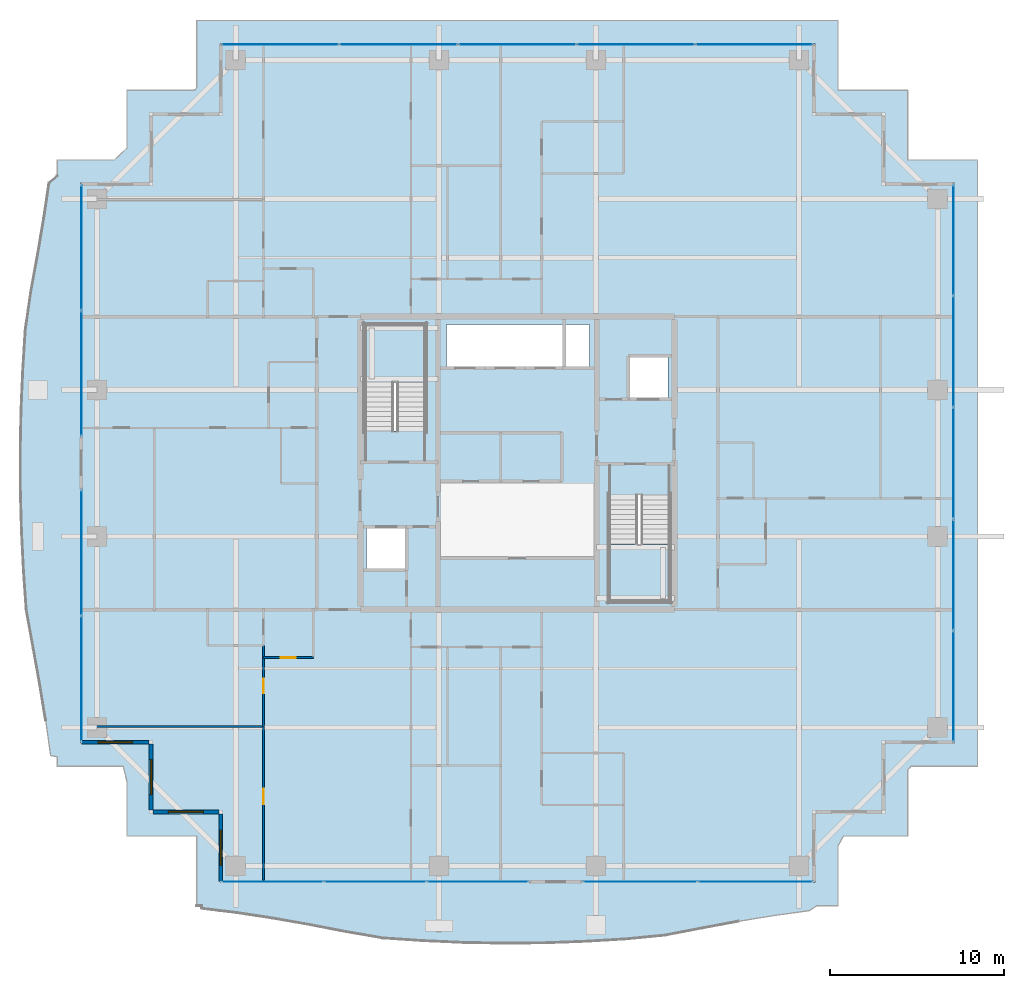
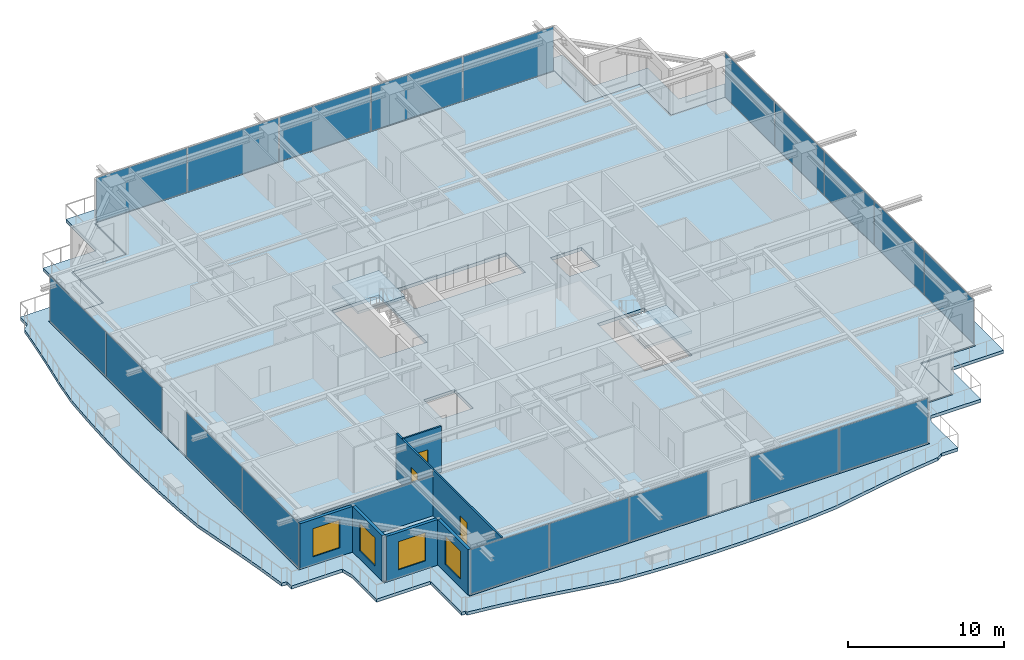
# One storey, part 24 of 36: 19 plates, 8 walls, 4 slabs, 4 windows, 3 doors, 7 openings, 8 elements without a shape of their own.
"""IFC4 building model written with IfcOpenShell, lengths in metres."""

from ifc_helpers import new_model, si_unit, direction, frame, frame_2d, origin, origin_2d, place, context, subcontext, project, spatial, polyline, rectangle, outline, extrude, source, transform, mapped, material, layer, layer_set, type_object, element, fill, aggregate, save


model = new_model("IFC4")

# Units and contexts
model_context = context("Model", 3, precision=1e-05, world=origin(), true_north=direction((0.0, 1.0)))
body_context = subcontext(model_context, "Body", "Model", "MODEL_VIEW")
ifc_project = project(units=[si_unit("LENGTHUNIT", "METRE"), si_unit("AREAUNIT", "SQUARE_METRE"), si_unit("VOLUMEUNIT", "CUBIC_METRE"), si_unit("PLANEANGLEUNIT", "RADIAN"), si_unit("MASSUNIT", "GRAM", prefix="KILO")], contexts=[model_context])

# Site, building, storey
site_placement = place(None, origin())
site = spatial("IfcSite", under=ifc_project, at=site_placement, CompositionType="ELEMENT")
building_placement = place(site_placement, origin())
building = spatial("IfcBuilding", under=site, at=building_placement, Name="Serunith Strait Residences", CompositionType="ELEMENT")
storey_placement = place(building_placement, frame((0.0, 0.0, 225.85009765625)))
storey = spatial("IfcBuildingStorey", under=building, at=storey_placement, Name="L56", CompositionType="ELEMENT", Elevation=225.85009765625)

# Slab
ifc_material_1 = material(Name="Concrete C50/60", Category="concrete")
ifc_layer_1 = layer(ifc_material_1, 0.239990234375, Name="Concrete C50/60")
ifc_layer_set_1 = layer_set([ifc_layer_1], Name="Concrete C50/60")
slab_type_1 = type_object("IfcSlabType", Name="SLB-BALC-240", PredefinedType="FLOOR", material=ifc_layer_set_1)
slab_1_placement = place(storey_placement, frame((0.0, 0.0, -0.2900390625)))
element("IfcSlab", 1, at=slab_1_placement, inside=storey, type_object=slab_type_1, Name="L56 Planted Vertical-Forest Balcony Slab", PredefinedType="FLOOR", context=body_context, shape_type="SweptSolid", body=[
    extrude(outline(polyline([(14.02001953125, -0.179931640625), (14.02001953125, 3.820068359375), (10.02001953125, 3.820068359375), (10.02001953125, 6.948974609375), (9.80712890625, 7.820068359375), (6.02001953125, 7.820068359375), (6.02001953125, 8.369384765625), (5.64404296875, 8.43310546875), (5.3603515625, 10.46337890625), (5.024658203125, 12.51611328125), (4.648681640625, 14.608154296875), (4.257080078125, 16.757080078125), (4.09814453125, 19.020751953125), (3.98388671875, 21.31640625), (3.919921875, 23.633544921875), (3.9111328125, 25.959716796875), (3.958740234375, 28.281005859375), (4.05810546875, 30.5849609375), (4.200927734375, 32.860595703125), (4.51904296875, 35.05126953125), (4.90380859375, 37.160888671875), (5.25439453125, 39.22509765625), (5.555908203125, 41.26171875), (6.02001953125, 41.655029296875), (6.02001953125, 42.580078125), (9.29833984375, 42.580078125), (10.02001953125, 43.2548828125), (10.02001953125, 46.580078125), (13.918212890625, 46.580078125), (14.02001953125, 46.735595703125), (14.02001953125, 50.580078125), (50.780029296875, 50.580078125), (50.780029296875, 46.580078125), (54.780029296875, 46.580078125), (54.780029296875, 42.580078125), (58.780029296875, 42.580078125), (58.780029296875, 7.820068359375), (54.97509765625, 7.820068359375), (54.780029296875, 7.597900390625), (54.780029296875, 3.820068359375), (51.09521484375, 3.820068359375), (50.780029296875, 3.25146484375), (50.780029296875, -0.179931640625), (49.544921875, -0.179931640625), (49.1474609375, -0.45556640625), (47.122314453125, -0.73291015625), (45.07861328125, -1.069091796875), (42.997802734375, -1.45654296875), (40.85986328125, -1.871337890625), (38.60595703125, -2.0869140625), (36.30419921875, -2.224365234375), (33.97607421875, -2.30908203125), (31.63525390625, -2.331298828125), (29.298095703125, -2.28857421875), (26.97998046875, -2.18505859375), (24.694091796875, -2.030517578125), (22.515380859375, -1.656005859375), (20.41455078125, -1.25048828125), (18.360107421875, -0.88720703125), (16.33154296875, -0.5810546875), (14.313720703125, -0.333740234375), (14.31494140625, -0.179931640625), (14.02001953125, -0.179931640625)]), holes=[polyline([(49.455078125, 1.14501953125), (49.455078125, 5.14501953125), (53.455078125, 5.14501953125), (53.455078125, 9.14501953125), (57.455078125, 9.14501953125), (57.455078125, 41.2548828125), (53.455078125, 41.2548828125), (53.455078125, 45.2548828125), (49.455078125, 45.2548828125), (49.455078125, 49.2548828125), (15.344970703125, 49.2548828125), (15.344970703125, 45.2548828125), (11.344970703125, 45.2548828125), (11.344970703125, 41.2548828125), (7.344970703125, 41.2548828125), (7.344970703125, 9.14501953125), (11.344970703125, 9.14501953125), (11.344970703125, 5.14501953125), (15.344970703125, 5.14501953125), (15.344970703125, 1.14501953125), (49.455078125, 1.14501953125)])]), origin(), (0.0, 0.0, 1.0), 0.239990234375),
])

# Stair, slab
stair_type_1 = type_object("IfcStairType", Name="STR-CORE-1", PredefinedType="HALF_TURN_STAIR", material=ifc_material_1)
stair_1_placement = place(storey_placement, origin())
stair_1 = element("IfcStair", 2, at=stair_1_placement, inside=storey, type_object=stair_type_1, Name="L56 Protected Escape Stair ST-1", PredefinedType="HALF_TURN_STAIR")
ifc_layer_2 = layer(ifc_material_1, 0.199951171875, Name="Concrete C50/60")
ifc_layer_set_2 = layer_set([ifc_layer_2], Name="Concrete C50/60")
slab_type_2 = type_object("IfcSlabType", Name="SLB-LAND-200", PredefinedType="LANDING", material=ifc_layer_set_2)
slab_2_placement = place(storey_placement, frame((0.0, 0.0, 1.724853515625)))
slab_2 = element("IfcSlab", 3, at=slab_2_placement, type_object=slab_type_2, Name="ST-1 landing 1", PredefinedType="LANDING", context=body_context, shape_type="SweptSolid", body=[
    extrude(outline(polyline([(27.14990234375, 29.830078125), (27.14990234375, 33.14990234375), (23.64990234375, 33.14990234375), (23.64990234375, 29.830078125), (27.14990234375, 29.830078125)])), origin(), (0.0, 0.0, 1.0), 0.199951171875),
])
aggregate(stair_1, [slab_2])

stair_type_2 = type_object("IfcStairType", Name="STR-CORE-2", PredefinedType="HALF_TURN_STAIR", material=ifc_material_1)
stair_2_placement = place(storey_placement, origin())
stair_2 = element("IfcStair", 4, at=stair_2_placement, inside=storey, type_object=stair_type_2, Name="L56 Protected Escape Stair ST-2", PredefinedType="HALF_TURN_STAIR")
slab_3_placement = place(storey_placement, frame((0.0, 0.0, 1.724853515625)))
slab_3 = element("IfcSlab", 5, at=slab_3_placement, type_object=slab_type_2, Name="ST-2 landing 1", PredefinedType="LANDING", context=body_context, shape_type="SweptSolid", body=[
    extrude(outline(polyline([(37.64990234375, 20.570068359375), (37.64990234375, 17.25), (41.14990234375, 17.25), (41.14990234375, 20.570068359375), (37.64990234375, 20.570068359375)])), origin(), (0.0, 0.0, 1.0), 0.199951171875),
])
aggregate(stair_2, [slab_3])

# Slab
ifc_material_2 = material(Name="Concrete C60/75", Category="concrete")
ifc_layer_3 = layer(ifc_material_2, 0.260009765625, Name="Concrete C60/75")
ifc_layer_set_3 = layer_set([ifc_layer_3], Name="Concrete C60/75")
slab_type_3 = type_object("IfcSlabType", Name="SLB-TWR-275-Z3", PredefinedType="FLOOR", material=ifc_layer_set_3)
slab_4_placement = place(storey_placement, frame((0.0, 0.0, -0.260009765625)))
element("IfcSlab", 6, at=slab_4_placement, inside=storey, type_object=slab_type_3, Name="L56 Structural Floor Plate", PredefinedType="FLOOR", context=body_context, shape_type="SweptSolid", body=[
    extrude(outline(polyline([(15.39990234375, 5.199951171875), (11.39990234375, 5.199951171875), (11.39990234375, 9.199951171875), (7.39990234375, 9.199951171875), (7.39990234375, 41.199951171875), (11.39990234375, 41.199951171875), (11.39990234375, 45.199951171875), (15.39990234375, 45.199951171875), (15.39990234375, 49.199951171875), (49.39990234375, 49.199951171875), (49.39990234375, 45.199951171875), (53.39990234375, 45.199951171875), (53.39990234375, 41.199951171875), (57.39990234375, 41.199951171875), (57.39990234375, 9.199951171875), (53.39990234375, 9.199951171875), (53.39990234375, 5.199951171875), (49.39990234375, 5.199951171875), (49.39990234375, 1.199951171875), (15.39990234375, 1.199951171875), (15.39990234375, 5.199951171875)]), holes=[polyline([(41.14990234375, 23.3701171875), (37.64990234375, 23.3701171875), (37.64990234375, 17.25), (41.14990234375, 17.25), (41.14990234375, 23.3701171875)]), polyline([(38.75, 31.25), (38.75, 28.85009765625), (41.050048828125, 28.85009765625), (41.050048828125, 31.25), (38.75, 31.25)]), polyline([(36.550048828125, 33.14990234375), (28.35009765625, 33.14990234375), (28.35009765625, 30.64990234375), (36.550048828125, 30.64990234375), (36.550048828125, 33.14990234375)]), polyline([(23.64990234375, 33.14990234375), (23.64990234375, 27.030029296875), (27.14990234375, 27.030029296875), (27.14990234375, 33.14990234375), (23.64990234375, 33.14990234375)]), polyline([(23.75, 21.550048828125), (23.75, 19.14990234375), (26.050048828125, 19.14990234375), (26.050048828125, 21.550048828125), (23.75, 21.550048828125)])]), origin(), (0.0, 0.0, 1.0), 0.260009765625),
])

# Curtain wall, plates
ifc_material_3 = material(Name="Pale-Champagne Anodised Aluminium", Category="aluminium")
ifc_layer_4 = layer(ifc_material_3, 0.199951171875, Name="Pale-Champagne Anodised Aluminium")
ifc_layer_set_4 = layer_set([ifc_layer_4], Name="Pale-Champagne Anodised Aluminium")
curtain_wall_type = type_object("IfcCurtainWallType", Name="CW-SYS4", PredefinedType="NOTDEFINED", material=ifc_layer_set_4)
curtain_wall_1_placement = place(storey_placement, origin())
curtain_wall_1 = element("IfcCurtainWall", 7, at=curtain_wall_1_placement, inside=storey, type_object=curtain_wall_type, Name="L56 E Unitised Fritted Curtain Wall", PredefinedType="NOTDEFINED")
ifc_material_4 = material(Name="Ceramic-Printed Solar-Control Glazing 28mm", Category="glass")
ifc_layer_5 = layer(ifc_material_4, 0.028076171875, Name="Ceramic-Printed Solar-Control Glazing 28mm")
ifc_layer_set_5 = layer_set([ifc_layer_5], Name="Ceramic-Printed Solar-Control Glazing 28mm")
plate_type = type_object("IfcPlateType", Name="CW-SYS4-PNL", PredefinedType="CURTAIN_PANEL", material=ifc_layer_set_5)
shared_shape_1 = source(origin(), body_context, "Body", "SweptSolid", [
    extrude(rectangle(XDim=6.302490234375, YDim=0.028076171875, at=origin_2d()), origin(), (0.0, 0.0, 1.0), 3.455078125),
])
plate_1_placement = place(storey_placement, frame((57.39990234375, 12.416259765625, 0.059814453125), z_axis=(0.0, 0.0, 1.0), x_axis=(0.0, 1.0, 0.0)))
plate_1 = element("IfcPlate", 8, at=plate_1_placement, type_object=plate_type, Name="CW-4 panel 1.1", PredefinedType="CURTAIN_PANEL", context=body_context, shape_type="MappedRepresentation", body=[
    mapped(shared_shape_1, transform((0.0, 0.0, 0.0), scale=1.0)),
])
plate_2_placement = place(storey_placement, frame((57.39990234375, 37.983642578125, 0.059814453125), z_axis=(0.0, 0.0, 1.0), x_axis=(0.0, 1.0, 0.0)))
plate_2 = element("IfcPlate", 9, at=plate_2_placement, type_object=plate_type, Name="CW-4 panel 5.1", PredefinedType="CURTAIN_PANEL", context=body_context, shape_type="MappedRepresentation", body=[
    mapped(shared_shape_1, transform((0.0, 0.0, 0.0), scale=1.0)),
])
shared_shape_2 = source(origin(), body_context, "Body", "SweptSolid", [
    extrude(rectangle(XDim=6.3349609375, YDim=0.028076171875, at=origin_2d()), origin(), (0.0, 0.0, 1.0), 3.455078125),
])
plate_3_placement = place(storey_placement, frame((57.39990234375, 18.800048828125, 0.059814453125), z_axis=(0.0, 0.0, 1.0), x_axis=(0.0, 1.0, 0.0)))
plate_3 = element("IfcPlate", 10, at=plate_3_placement, type_object=plate_type, Name="CW-4 panel 2.1", PredefinedType="CURTAIN_PANEL", context=body_context, shape_type="MappedRepresentation", body=[
    mapped(shared_shape_2, transform((0.0, 0.0, 0.0), scale=1.0)),
])
plate_4_placement = place(storey_placement, frame((57.39990234375, 25.199951171875, 0.059814453125), z_axis=(0.0, 0.0, 1.0), x_axis=(0.0, 1.0, 0.0)))
plate_4 = element("IfcPlate", 11, at=plate_4_placement, type_object=plate_type, Name="CW-4 panel 3.1", PredefinedType="CURTAIN_PANEL", context=body_context, shape_type="MappedRepresentation", body=[
    mapped(shared_shape_2, transform((0.0, 0.0, 0.0), scale=1.0)),
])
plate_5_placement = place(storey_placement, frame((57.39990234375, 31.60009765625, 0.059814453125), z_axis=(0.0, 0.0, 1.0), x_axis=(0.0, 1.0, 0.0)))
plate_5 = element("IfcPlate", 12, at=plate_5_placement, type_object=plate_type, Name="CW-4 panel 4.1", PredefinedType="CURTAIN_PANEL", context=body_context, shape_type="MappedRepresentation", body=[
    mapped(shared_shape_2, transform((0.0, 0.0, 0.0), scale=1.0)),
])
aggregate(curtain_wall_1, [plate_1, plate_3, plate_4, plate_5, plate_2])

curtain_wall_2_placement = place(storey_placement, origin())
curtain_wall_2 = element("IfcCurtainWall", 13, at=curtain_wall_2_placement, inside=storey, type_object=curtain_wall_type, Name="L56 N Unitised Fritted Curtain Wall", PredefinedType="NOTDEFINED")
shared_shape_3 = source(origin(), body_context, "Body", "SweptSolid", [
    extrude(rectangle(XDim=6.702392578125, YDim=0.028076171875, at=origin_2d()), origin(), (0.0, 0.0, 1.0), 3.455078125),
])
plate_6_placement = place(storey_placement, frame((45.983642578125, 49.199951171875, 0.059814453125), z_axis=(0.0, 0.0, 1.0), x_axis=(-1.0, 0.0, 0.0)))
plate_6 = element("IfcPlate", 14, at=plate_6_placement, type_object=plate_type, Name="CW-4 panel 1.1", PredefinedType="CURTAIN_PANEL", context=body_context, shape_type="MappedRepresentation", body=[
    mapped(shared_shape_3, transform((0.0, 0.0, 0.0), scale=1.0)),
])
plate_7_placement = place(storey_placement, frame((18.816162109375, 49.199951171875, 0.059814453125), z_axis=(0.0, 0.0, 1.0), x_axis=(-1.0, 0.0, 0.0)))
plate_7 = element("IfcPlate", 15, at=plate_7_placement, type_object=plate_type, Name="CW-4 panel 5.1", PredefinedType="CURTAIN_PANEL", context=body_context, shape_type="MappedRepresentation", body=[
    mapped(shared_shape_3, transform((0.0, 0.0, 0.0), scale=1.0)),
])
shared_shape_4 = source(origin(), body_context, "Body", "SweptSolid", [
    extrude(rectangle(XDim=6.735107421875, YDim=0.028076171875, at=origin_2d()), origin(), (0.0, 0.0, 1.0), 3.455078125),
])
plate_8_placement = place(storey_placement, frame((39.199951171875, 49.199951171875, 0.059814453125), z_axis=(0.0, 0.0, 1.0), x_axis=(-1.0, 0.0, 0.0)))
plate_8 = element("IfcPlate", 16, at=plate_8_placement, type_object=plate_type, Name="CW-4 panel 2.1", PredefinedType="CURTAIN_PANEL", context=body_context, shape_type="MappedRepresentation", body=[
    mapped(shared_shape_4, transform((0.0, 0.0, 0.0), scale=1.0)),
])
plate_9_placement = place(storey_placement, frame((32.39990234375, 49.199951171875, 0.059814453125), z_axis=(0.0, 0.0, 1.0), x_axis=(-1.0, 0.0, 0.0)))
plate_9 = element("IfcPlate", 17, at=plate_9_placement, type_object=plate_type, Name="CW-4 panel 3.1", PredefinedType="CURTAIN_PANEL", context=body_context, shape_type="MappedRepresentation", body=[
    mapped(shared_shape_4, transform((0.0, 0.0, 0.0), scale=1.0)),
])
plate_10_placement = place(storey_placement, frame((25.60009765625, 49.199951171875, 0.059814453125), z_axis=(0.0, 0.0, 1.0), x_axis=(-1.0, 0.0, 0.0)))
plate_10 = element("IfcPlate", 18, at=plate_10_placement, type_object=plate_type, Name="CW-4 panel 4.1", PredefinedType="CURTAIN_PANEL", context=body_context, shape_type="MappedRepresentation", body=[
    mapped(shared_shape_4, transform((0.0, 0.0, 0.0), scale=1.0)),
])
aggregate(curtain_wall_2, [plate_6, plate_8, plate_9, plate_10, plate_7])

curtain_wall_3_placement = place(storey_placement, origin())
curtain_wall_3 = element("IfcCurtainWall", 19, at=curtain_wall_3_placement, inside=storey, type_object=curtain_wall_type, Name="L56 W Unitised Fritted Curtain Wall", PredefinedType="NOTDEFINED")
shared_shape_5 = source(origin(), body_context, "Body", "SweptSolid", [
    extrude(rectangle(XDim=7.152587890625, YDim=0.028076171875, at=origin_2d()), origin(), (0.0, 0.0, 1.0), 3.455078125),
])
plate_11_placement = place(storey_placement, frame((7.39990234375, 37.558837890625, 0.059814453125), z_axis=(0.0, 0.0, 1.0), x_axis=(0.0, -1.0, 0.0)))
plate_11 = element("IfcPlate", 20, at=plate_11_placement, type_object=plate_type, Name="CW-4 panel 1.1", PredefinedType="CURTAIN_PANEL", context=body_context, shape_type="MappedRepresentation", body=[
    mapped(shared_shape_5, transform((0.0, 0.0, 0.0), scale=1.0)),
])
plate_12_placement = place(storey_placement, frame((7.39990234375, 30.34130859375, 0.059814453125), z_axis=(0.0, 0.0, 1.0), x_axis=(0.0, -1.0, 0.0)))
plate_12 = element("IfcPlate", 21, at=plate_12_placement, type_object=plate_type, Name="CW-4 panel 2.1", PredefinedType="CURTAIN_PANEL", context=body_context, shape_type="MappedRepresentation", body=[
    mapped(shared_shape_5, transform((0.0, 0.0, 0.0), scale=1.0)),
])
aggregate(curtain_wall_3, [plate_11, plate_12])

curtain_wall_4_placement = place(storey_placement, origin())
curtain_wall_4 = element("IfcCurtainWall", 22, at=curtain_wall_4_placement, inside=storey, type_object=curtain_wall_type, Name="L56 W Unitised Fritted Curtain Wall", PredefinedType="NOTDEFINED")
plate_13_placement = place(storey_placement, frame((7.39990234375, 20.058837890625, 0.059814453125), z_axis=(0.0, 0.0, 1.0), x_axis=(0.0, -1.0, 0.0)))
plate_13 = element("IfcPlate", 23, at=plate_13_placement, type_object=plate_type, Name="CW-4 panel 1.1", PredefinedType="CURTAIN_PANEL", context=body_context, shape_type="MappedRepresentation", body=[
    mapped(shared_shape_5, transform((0.0, 0.0, 0.0), scale=1.0)),
])
plate_14_placement = place(storey_placement, frame((7.39990234375, 12.84130859375, 0.059814453125), z_axis=(0.0, 0.0, 1.0), x_axis=(0.0, -1.0, 0.0)))
plate_14 = element("IfcPlate", 24, at=plate_14_placement, type_object=plate_type, Name="CW-4 panel 2.1", PredefinedType="CURTAIN_PANEL", context=body_context, shape_type="MappedRepresentation", body=[
    mapped(shared_shape_5, transform((0.0, 0.0, 0.0), scale=1.0)),
])
aggregate(curtain_wall_4, [plate_13, plate_14])

curtain_wall_5_placement = place(storey_placement, origin())
curtain_wall_5 = element("IfcCurtainWall", 25, at=curtain_wall_5_placement, inside=storey, type_object=curtain_wall_type, Name="L56 S Unitised Fritted Curtain Wall", PredefinedType="NOTDEFINED")
shared_shape_6 = source(origin(), body_context, "Body", "SweptSolid", [
    extrude(rectangle(XDim=6.552490234375, YDim=0.028076171875, at=origin_2d()), origin(), (0.0, 0.0, 1.0), 3.455078125),
])
plate_15_placement = place(storey_placement, frame((39.441162109375, 1.199951171875, 0.059814453125), z_axis=(0.0, 0.0, 1.0), x_axis=(1.0, 0.0, 0.0)))
plate_15 = element("IfcPlate", 26, at=plate_15_placement, type_object=plate_type, Name="CW-4 panel 1.1", PredefinedType="CURTAIN_PANEL", context=body_context, shape_type="MappedRepresentation", body=[
    mapped(shared_shape_6, transform((0.0, 0.0, 0.0), scale=1.0)),
])
plate_16_placement = place(storey_placement, frame((46.058837890625, 1.199951171875, 0.059814453125), z_axis=(0.0, 0.0, 1.0), x_axis=(1.0, 0.0, 0.0)))
plate_16 = element("IfcPlate", 27, at=plate_16_placement, type_object=plate_type, Name="CW-4 panel 2.1", PredefinedType="CURTAIN_PANEL", context=body_context, shape_type="MappedRepresentation", body=[
    mapped(shared_shape_6, transform((0.0, 0.0, 0.0), scale=1.0)),
])
aggregate(curtain_wall_5, [plate_15, plate_16])

curtain_wall_6_placement = place(storey_placement, origin())
curtain_wall_6 = element("IfcCurtainWall", 28, at=curtain_wall_6_placement, inside=storey, type_object=curtain_wall_type, Name="L56 S Unitised Fritted Curtain Wall", PredefinedType="NOTDEFINED")
shared_shape_7 = source(origin(), body_context, "Body", "SweptSolid", [
    extrude(rectangle(XDim=5.802490234375, YDim=0.028076171875, at=origin_2d()), origin(), (0.0, 0.0, 1.0), 3.455078125),
])
plate_17_placement = place(storey_placement, frame((18.3662109375, 1.199951171875, 0.059814453125), z_axis=(0.0, 0.0, 1.0), x_axis=(1.0, 0.0, 0.0)))
plate_17 = element("IfcPlate", 29, at=plate_17_placement, type_object=plate_type, Name="CW-4 panel 1.1", PredefinedType="CURTAIN_PANEL", context=body_context, shape_type="MappedRepresentation", body=[
    mapped(shared_shape_7, transform((0.0, 0.0, 0.0), scale=1.0)),
])
plate_18_placement = place(storey_placement, frame((30.1337890625, 1.199951171875, 0.059814453125), z_axis=(0.0, 0.0, 1.0), x_axis=(1.0, 0.0, 0.0)))
plate_18 = element("IfcPlate", 30, at=plate_18_placement, type_object=plate_type, Name="CW-4 panel 3.1", PredefinedType="CURTAIN_PANEL", context=body_context, shape_type="MappedRepresentation", body=[
    mapped(shared_shape_7, transform((0.0, 0.0, 0.0), scale=1.0)),
])
shared_shape_8 = source(origin(), body_context, "Body", "SweptSolid", [
    extrude(rectangle(XDim=5.8349609375, YDim=0.028076171875, at=origin_2d()), origin(), (0.0, 0.0, 1.0), 3.455078125),
])
plate_19_placement = place(storey_placement, frame((24.25, 1.199951171875, 0.059814453125), z_axis=(0.0, 0.0, 1.0), x_axis=(1.0, 0.0, 0.0)))
plate_19 = element("IfcPlate", 31, at=plate_19_placement, type_object=plate_type, Name="CW-4 panel 2.1", PredefinedType="CURTAIN_PANEL", context=body_context, shape_type="MappedRepresentation", body=[
    mapped(shared_shape_8, transform((0.0, 0.0, 0.0), scale=1.0)),
])
aggregate(curtain_wall_6, [plate_17, plate_19, plate_18])

# Wall, opening, window
ifc_material_5 = material(Name="Pale-Champagne Aluminium Insulated Panel", Category="aluminium")
ifc_layer_6 = layer(ifc_material_5, 0.219970703125, Name="Pale-Champagne Aluminium Insulated Panel")
ifc_layer_set_6 = layer_set([ifc_layer_6], Name="Pale-Champagne Aluminium Insulated Panel")
wall_type_1 = type_object("IfcWallType", Name="EW-ALUM-220", PredefinedType="ELEMENTEDWALL", material=ifc_layer_set_6)
wall_1_placement = place(storey_placement, frame((7.39990234375, 9.199951171875, 0.0), z_axis=(0.0, 0.0, 1.0), x_axis=(1.0, 0.0, 0.0)))
wall_1 = element("IfcWall", 32, at=wall_1_placement, inside=storey, type_object=wall_type_1, Name="L56 Girih Serrated Corner Wall 17", PredefinedType="ELEMENTEDWALL", context=body_context, shape_type="SweptSolid", body=[
    extrude(rectangle(XDim=3.89013671875, YDim=0.219970703125, at=frame_2d((1.945068359375, 0.0))), origin(), (0.0, 0.0, 1.0), 3.574951171875),
])
opening_1_placement = place(wall_1_placement, frame((0.945068359375, 0.0, 0.64990234375)))
opening_1 = element("IfcOpeningElement", 33, at=opening_1_placement, cuts=wall_1, Name="Opening W-04", PredefinedType="OPENING", context=body_context, shape_type="SweptSolid", body=[
    extrude(rectangle(XDim=2.0, YDim=2.199951171875, at=frame_2d((1.0, 1.10009765625))), frame((0.0, 0.1201171875, 0.0), z_axis=(0.0, -1.0, 0.0), x_axis=(1.0, 0.0, 0.0)), (0.0, 0.0, 1.0), 0.239990234375),
])
ifc_material_6 = material(Name="Ceramic-Fritted Operable Aluminium Window Glass", Category="aluminium")
window_type = type_object("IfcWindowType", Name="WIN-C4", PartitioningType="TRIPLE_PANEL_VERTICAL", PredefinedType="WINDOW", material=ifc_material_6)
shared_shape_9 = source(origin(), body_context, "Body", "SweptSolid", [
    extrude(rectangle(XDim=2.0, YDim=2.199951171875, at=frame_2d((1.0, 1.10009765625))), frame((0.0, 0.030029296875, 0.0), z_axis=(0.0, -1.0, 0.0), x_axis=(1.0, 0.0, 0.0)), (0.0, 0.0, 1.0), 0.06005859375),
])
window_1_placement = place(opening_1_placement, origin())
window_1 = element("IfcWindow", 34, at=window_1_placement, inside=storey, type_object=window_type, Name="L56 Corner Operable Fritted Window 17", OverallHeight=2.199951171875, OverallWidth=2.0, PartitioningType="SINGLE_PANEL", PredefinedType="WINDOW", context=body_context, shape_type="MappedRepresentation", body=[
    mapped(shared_shape_9, transform((0.0, 0.0, 0.0), scale=1.0)),
])
fill(opening_1, window_1)

wall_2_placement = place(storey_placement, frame((11.39990234375, 9.090087890625, 0.0), z_axis=(0.0, 0.0, 1.0), x_axis=(0.0, -1.0, 0.0)))
wall_2 = element("IfcWall", 35, at=wall_2_placement, inside=storey, type_object=wall_type_1, Name="L56 Girih Serrated Corner Wall 18", PredefinedType="ELEMENTEDWALL", context=body_context, shape_type="SweptSolid", body=[
    extrude(rectangle(XDim=3.780029296875, YDim=0.219970703125, at=frame_2d((1.89013671875, 0.0))), origin(), (0.0, 0.0, 1.0), 3.574951171875),
])
opening_2_placement = place(wall_2_placement, frame((0.889892578125, 0.0, 0.64990234375)))
opening_2 = element("IfcOpeningElement", 36, at=opening_2_placement, cuts=wall_2, Name="Opening W-04", PredefinedType="OPENING", context=body_context, shape_type="SweptSolid", body=[
    extrude(rectangle(XDim=2.0, YDim=2.199951171875, at=frame_2d((1.0, 1.10009765625))), frame((0.0, 0.1201171875, 0.0), z_axis=(0.0, -1.0, 0.0), x_axis=(1.0, 0.0, 0.0)), (0.0, 0.0, 1.0), 0.239990234375),
])
window_2_placement = place(opening_2_placement, origin())
window_2 = element("IfcWindow", 37, at=window_2_placement, inside=storey, type_object=window_type, Name="L56 Corner Operable Fritted Window 18", OverallHeight=2.199951171875, OverallWidth=2.0, PartitioningType="SINGLE_PANEL", PredefinedType="WINDOW", context=body_context, shape_type="MappedRepresentation", body=[
    mapped(shared_shape_9, transform((0.0, 0.0, 0.0), scale=1.0)),
])
fill(opening_2, window_2)

wall_3_placement = place(storey_placement, frame((11.510009765625, 5.199951171875, 0.0), z_axis=(0.0, 0.0, 1.0), x_axis=(1.0, 0.0, 0.0)))
wall_3 = element("IfcWall", 38, at=wall_3_placement, inside=storey, type_object=wall_type_1, Name="L56 Girih Serrated Corner Wall 19", PredefinedType="ELEMENTEDWALL", context=body_context, shape_type="SweptSolid", body=[
    extrude(rectangle(XDim=3.780029296875, YDim=0.219970703125, at=frame_2d((1.89013671875, 0.0))), origin(), (0.0, 0.0, 1.0), 3.574951171875),
])
opening_3_placement = place(wall_3_placement, frame((0.889892578125, 0.0, 0.64990234375)))
opening_3 = element("IfcOpeningElement", 39, at=opening_3_placement, cuts=wall_3, Name="Opening W-04", PredefinedType="OPENING", context=body_context, shape_type="SweptSolid", body=[
    extrude(rectangle(XDim=2.0, YDim=2.199951171875, at=frame_2d((1.0, 1.10009765625))), frame((0.0, 0.1201171875, 0.0), z_axis=(0.0, -1.0, 0.0), x_axis=(1.0, 0.0, 0.0)), (0.0, 0.0, 1.0), 0.239990234375),
])
window_3_placement = place(opening_3_placement, origin())
window_3 = element("IfcWindow", 40, at=window_3_placement, inside=storey, type_object=window_type, Name="L56 Corner Operable Fritted Window 19", OverallHeight=2.199951171875, OverallWidth=2.0, PartitioningType="SINGLE_PANEL", PredefinedType="WINDOW", context=body_context, shape_type="MappedRepresentation", body=[
    mapped(shared_shape_9, transform((0.0, 0.0, 0.0), scale=1.0)),
])
fill(opening_3, window_3)

wall_4_placement = place(storey_placement, frame((15.39990234375, 5.090087890625, 0.0), z_axis=(0.0, 0.0, 1.0), x_axis=(0.0, -1.0, 0.0)))
wall_4 = element("IfcWall", 41, at=wall_4_placement, inside=storey, type_object=wall_type_1, Name="L56 Girih Serrated Corner Wall 20", PredefinedType="ELEMENTEDWALL", context=body_context, shape_type="SweptSolid", body=[
    extrude(rectangle(XDim=3.89013671875, YDim=0.219970703125, at=frame_2d((1.945068359375, 0.0))), origin(), (0.0, 0.0, 1.0), 3.574951171875),
])
opening_4_placement = place(wall_4_placement, frame((0.945068359375, 0.0, 0.64990234375)))
opening_4 = element("IfcOpeningElement", 42, at=opening_4_placement, cuts=wall_4, Name="Opening W-04", PredefinedType="OPENING", context=body_context, shape_type="SweptSolid", body=[
    extrude(rectangle(XDim=2.0, YDim=2.199951171875, at=frame_2d((1.0, 1.10009765625))), frame((0.0, 0.1201171875, 0.0), z_axis=(0.0, -1.0, 0.0), x_axis=(1.0, 0.0, 0.0)), (0.0, 0.0, 1.0), 0.239990234375),
])
window_4_placement = place(opening_4_placement, origin())
window_4 = element("IfcWindow", 43, at=window_4_placement, inside=storey, type_object=window_type, Name="L56 Corner Operable Fritted Window 20", OverallHeight=2.199951171875, OverallWidth=2.0, PartitioningType="SINGLE_PANEL", PredefinedType="WINDOW", context=body_context, shape_type="MappedRepresentation", body=[
    mapped(shared_shape_9, transform((0.0, 0.0, 0.0), scale=1.0)),
])
fill(opening_4, window_4)

# Wall, opening, door
ifc_material_7 = material(Name="Lightweight steel-stud gypsum partition", Category="steel")
ifc_layer_7 = layer(ifc_material_7, 0.1201171875, Name="Lightweight steel-stud gypsum partition")
ifc_layer_set_7 = layer_set([ifc_layer_7], Name="Lightweight steel-stud gypsum partition")
wall_type_2 = type_object("IfcWallType", Name="IW-PART-120", PredefinedType="PARTITIONING", material=ifc_layer_set_7)
wall_5_placement = place(storey_placement, frame((17.85009765625, 14.050048828125, 0.0), z_axis=(0.0, 0.0, 1.0), x_axis=(1.0, 0.0, 0.0)))
wall_5 = element("IfcWall", 44, at=wall_5_placement, inside=storey, type_object=wall_type_2, Name="L56 Partition Wall 028", PredefinedType="PARTITIONING", context=body_context, shape_type="SweptSolid", body=[
    extrude(rectangle(XDim=2.849853515625, YDim=0.1201171875, at=frame_2d((1.4248046875, 0.0))), origin(), (0.0, 0.0, 1.0), 3.58984375),
])
opening_5_placement = place(wall_5_placement, frame((1.0, 0.0, 0.0)))
opening_5 = element("IfcOpeningElement", 45, at=opening_5_placement, cuts=wall_5, Name="Opening D-RM850", PredefinedType="OPENING", context=body_context, shape_type="SweptSolid", body=[
    extrude(rectangle(XDim=0.85009765625, YDim=2.10009765625, at=frame_2d((0.425048828125, 1.050048828125))), frame((0.0, 0.070068359375, 0.0), z_axis=(0.0, -1.0, 0.0), x_axis=(1.0, 0.0, 0.0)), (0.0, 0.0, 1.0), 0.14013671875),
])
ifc_material_8 = material(Name="Engineered timber flush study and kitchen door", Category="wood")
door_type_1 = type_object("IfcDoorType", Name="ID-ROOM-850", OperationType="NOTDEFINED", PredefinedType="DOOR", material=ifc_material_8)
shared_shape_10 = source(origin(), body_context, "Body", "SweptSolid", [
    extrude(rectangle(XDim=0.85009765625, YDim=2.10009765625, at=frame_2d((0.425048828125, 1.050048828125))), frame((0.0, 0.02490234375, 0.0), z_axis=(0.0, -1.0, 0.0), x_axis=(1.0, 0.0, 0.0)), (0.0, 0.0, 1.0), 0.050048828125),
])
door_1_placement = place(opening_5_placement, origin())
door_1 = element("IfcDoor", 46, at=door_1_placement, inside=storey, type_object=door_type_1, Name="L56 Kitchen 5601 Door", OperationType="SINGLE_SWING_LEFT", OverallHeight=2.10009765625, OverallWidth=0.85009765625, PredefinedType="DOOR", context=body_context, shape_type="MappedRepresentation", body=[
    mapped(shared_shape_10, transform((0.0, 0.0, 0.0), scale=1.0)),
])
fill(opening_5, door_1)

wall_6_placement = place(storey_placement, frame((17.85009765625, 1.294921875, 0.0), z_axis=(0.0, 0.0, 1.0), x_axis=(0.0, 1.0, 0.0)))
wall_6 = element("IfcWall", 47, at=wall_6_placement, inside=storey, type_object=wall_type_2, Name="L56 Partition Wall 030", PredefinedType="PARTITIONING", context=body_context, shape_type="SweptSolid", body=[
    extrude(rectangle(XDim=8.799072265625, YDim=0.1201171875, at=frame_2d((4.3994140625, 0.0))), origin(), (0.0, 0.0, 1.0), 3.58984375),
])
opening_6_placement = place(wall_6_placement, frame((4.343994140625, 0.0, 0.0)))
opening_6 = element("IfcOpeningElement", 48, at=opening_6_placement, cuts=wall_6, Name="Opening D-RM900", PredefinedType="OPENING", context=body_context, shape_type="SweptSolid", body=[
    extrude(rectangle(XDim=0.89990234375, YDim=2.10009765625, at=frame_2d((0.449951171875, 1.050048828125))), frame((0.0, 0.070068359375, 0.0), z_axis=(0.0, -1.0, 0.0), x_axis=(1.0, 0.0, 0.0)), (0.0, 0.0, 1.0), 0.14013671875),
])
ifc_material_9 = material(Name="Engineered timber flush bedroom door", Category="wood")
door_type_2 = type_object("IfcDoorType", Name="ID-ROOM-900", OperationType="NOTDEFINED", PredefinedType="DOOR", material=ifc_material_9)
shared_shape_11 = source(origin(), body_context, "Body", "SweptSolid", [
    extrude(rectangle(XDim=0.89990234375, YDim=2.10009765625, at=frame_2d((0.449951171875, 1.050048828125))), frame((0.0, 0.02490234375, 0.0), z_axis=(0.0, -1.0, 0.0), x_axis=(1.0, 0.0, 0.0)), (0.0, 0.0, 1.0), 0.050048828125),
])
door_2_placement = place(opening_6_placement, origin())
door_2 = element("IfcDoor", 49, at=door_2_placement, inside=storey, type_object=door_type_2, Name="L56 Master Bedroom 1 5601 Door", OperationType="SINGLE_SWING_RIGHT", OverallHeight=2.10009765625, OverallWidth=0.89990234375, PredefinedType="DOOR", context=body_context, shape_type="MappedRepresentation", body=[
    mapped(shared_shape_11, transform((0.0, 0.0, 0.0), scale=1.0)),
])
fill(opening_6, door_2)

# Wall
wall_7_placement = place(storey_placement, frame((7.4951171875, 10.093994140625, 0.0), z_axis=(0.0, 0.0, 1.0), x_axis=(1.0, 0.0, 0.0)))
element("IfcWall", 50, at=wall_7_placement, inside=storey, type_object=wall_type_2, Name="L56 Partition Wall 031", PredefinedType="PARTITIONING", context=body_context, shape_type="SweptSolid", body=[
    extrude(rectangle(XDim=10.35498046875, YDim=0.1201171875, at=frame_2d((5.177490234375, 0.0))), origin(), (0.0, 0.0, 1.0), 3.121826171875),
])

# Wall, opening, door
wall_8_placement = place(storey_placement, frame((17.85009765625, 10.095947265625, 0.0), z_axis=(0.0, 0.0, 1.0), x_axis=(0.0, 1.0, 0.0)))
wall_8 = element("IfcWall", 51, at=wall_8_placement, inside=storey, type_object=wall_type_2, Name="L56 Partition Wall 034", PredefinedType="PARTITIONING", context=body_context, shape_type="SweptSolid", body=[
    extrude(rectangle(XDim=4.654052734375, YDim=0.1201171875, at=frame_2d((2.3271484375, 0.0))), origin(), (0.0, 0.0, 1.0), 3.58984375),
])
opening_7_placement = place(wall_8_placement, frame((1.902099609375, 0.0, 0.0)))
opening_7 = element("IfcOpeningElement", 52, at=opening_7_placement, cuts=wall_8, Name="Opening D-RM850", PredefinedType="OPENING", context=body_context, shape_type="SweptSolid", body=[
    extrude(rectangle(XDim=0.85009765625, YDim=2.10009765625, at=frame_2d((0.425048828125, 1.050048828125))), frame((0.0, 0.070068359375, 0.0), z_axis=(0.0, -1.0, 0.0), x_axis=(1.0, 0.0, 0.0)), (0.0, 0.0, 1.0), 0.14013671875),
])
door_3_placement = place(opening_7_placement, origin())
door_3 = element("IfcDoor", 53, at=door_3_placement, inside=storey, type_object=door_type_1, Name="L56 Walk-in Wardrobe 5601 Door", OperationType="SINGLE_SWING_LEFT", OverallHeight=2.10009765625, OverallWidth=0.85009765625, PredefinedType="DOOR", context=body_context, shape_type="MappedRepresentation", body=[
    mapped(shared_shape_10, transform((0.0, 0.0, 0.0), scale=1.0)),
])
fill(opening_7, door_3)

save(model, "model.ifc")
